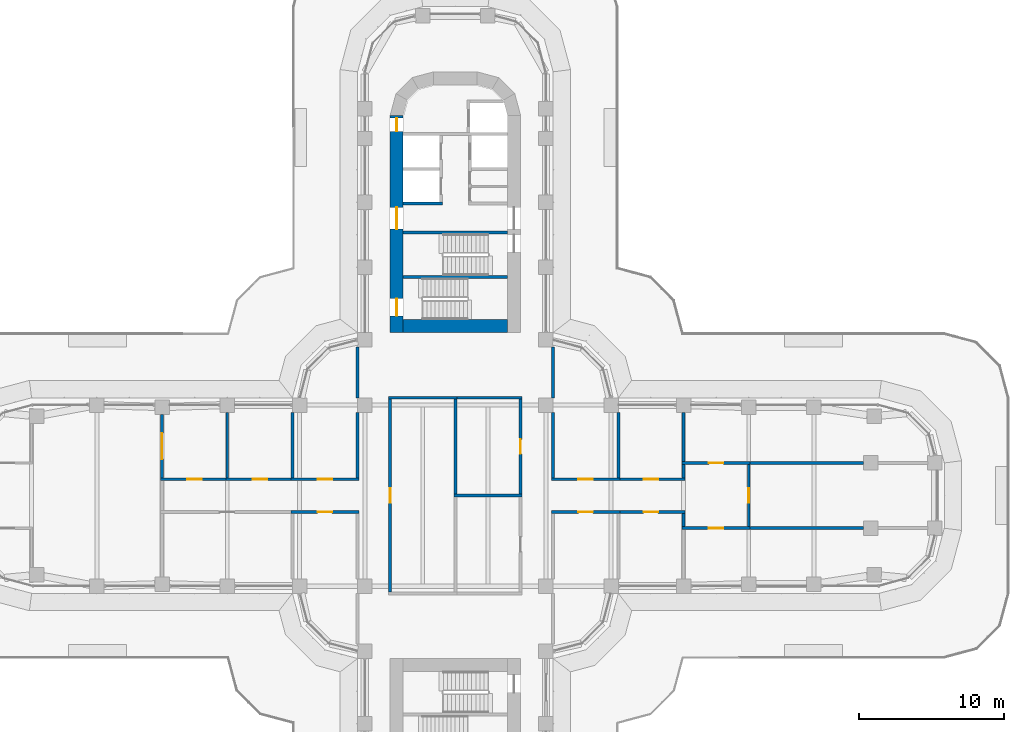
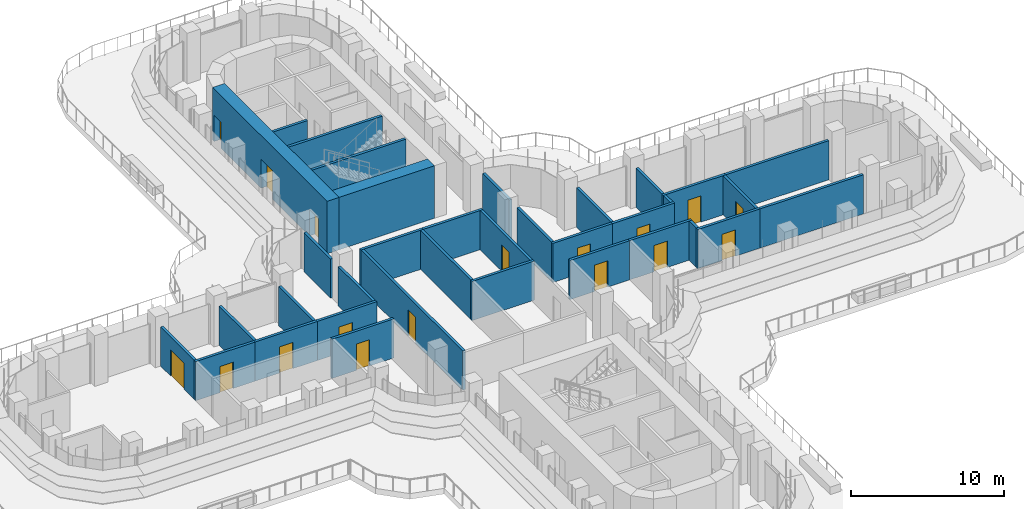
# One storey, part 18 of 26: 35 walls, 17 doors, 17 openings.
"""IFC4 building model written with IfcOpenShell, lengths in metres."""

from ifc_helpers import new_model, si_unit, direction, frame, frame_2d, origin, place, context, subcontext, project, spatial, rectangle, extrude, material, layer, layer_set, type_object, element, fill, save


model = new_model("IFC4")

# Units and contexts
model_context = context("Model", 3, precision=1e-05, world=origin(), true_north=direction((0.0, 1.0)))
body_context = subcontext(model_context, "Body", "Model", "MODEL_VIEW")
ifc_project = project(units=[si_unit("LENGTHUNIT", "METRE"), si_unit("AREAUNIT", "SQUARE_METRE"), si_unit("VOLUMEUNIT", "CUBIC_METRE"), si_unit("PLANEANGLEUNIT", "RADIAN"), si_unit("MASSUNIT", "GRAM", prefix="KILO")], contexts=[model_context])

# Site, building, storey
site_placement = place(None, origin())
site = spatial("IfcSite", under=ifc_project, at=site_placement, CompositionType="ELEMENT")
building_placement = place(site_placement, origin())
building = spatial("IfcBuilding", under=site, at=building_placement, Name="Zarbagh Exchange Tower", CompositionType="ELEMENT")
storey_placement = place(building_placement, frame((0.0, 0.0, 27.0)))
storey = spatial("IfcBuildingStorey", under=building, at=storey_placement, Name="L05", CompositionType="ELEMENT", Elevation=27.0)

# Wall, opening, door
ifc_material_1 = material(Name="Fire-rated plasterboard partition")
ifc_layer_1 = layer(ifc_material_1, 0.199951171875)
ifc_layer_set_1 = layer_set([ifc_layer_1], Name="RATED PARTITION 200")
wall_type_1 = type_object("IfcWallType", Name="RATED PARTITION 200", PredefinedType="PARTITIONING", material=ifc_layer_set_1)
wall_1_placement = place(storey_placement, frame((-4.5, 6.64990234375, 0.0), z_axis=(0.0, 0.0, 1.0), x_axis=(0.0, -1.0, 0.0)))
wall_1 = element("IfcWall", 1, at=wall_1_placement, inside=storey, type_object=wall_type_1, Name="Partition W-101", PredefinedType="PARTITIONING", context=body_context, shape_type="SweptSolid", body=[
    extrude(rectangle(XDim=13.2998046875, YDim=0.199951171875, at=frame_2d((6.64990234375, 0.0))), origin(), (0.0, 0.0, 1.0), 3.130615234375),
])
opening_1_placement = place(wall_1_placement, frame((6.14990234375, 0.0, 0.0)))
opening_1 = element("IfcOpeningElement", 2, at=opening_1_placement, cuts=wall_1, Name="Opening D-103", PredefinedType="OPENING", context=body_context, shape_type="SweptSolid", body=[
    extrude(rectangle(XDim=1.0, YDim=2.10009765625, at=frame_2d((0.5, 1.050048828125))), frame((0.0, 0.10986328125, 0.0), z_axis=(0.0, -1.0, 0.0), x_axis=(1.0, 0.0, 0.0)), (0.0, 0.0, 1.0), 0.219970703125),
])
ifc_material_2 = material(Name="Steel door set", Category="steel")
door_type_1 = type_object("IfcDoorType", Name="FIRE DOOR 1000 X 2100 FD30S", OperationType="NOTDEFINED", PredefinedType="DOOR", material=ifc_material_2)
door_1_placement = place(opening_1_placement, origin())
door_1 = element("IfcDoor", 3, at=door_1_placement, inside=storey, type_object=door_type_1, Name="Door D-103", OperationType="SINGLE_SWING_RIGHT", OverallHeight=2.10009765625, OverallWidth=1.0, PredefinedType="DOOR", context=body_context, shape_type="SweptSolid", body=[
    extrude(rectangle(XDim=1.0, YDim=2.10009765625, at=frame_2d((0.5, 1.050048828125))), frame((0.0, 0.02490234375, 0.0), z_axis=(0.0, -1.0, 0.0), x_axis=(1.0, 0.0, 0.0)), (0.0, 0.0, 1.0), 0.050048828125),
])
fill(opening_1, door_1)

# Walls
wall_2_placement = place(storey_placement, frame((-6.75, 1.22509765625, 0.0), z_axis=(0.0, 0.0, 1.0), x_axis=(0.0, 1.0, 0.0)))
element("IfcWall", 4, at=wall_2_placement, inside=storey, type_object=wall_type_1, Name="Partition W-102", PredefinedType="PARTITIONING", context=body_context, shape_type="SweptSolid", body=[
    extrude(rectangle(XDim=4.52490234375, YDim=0.199951171875, at=frame_2d((2.262451171875, 0.0))), origin(), (0.0, 0.0, 1.0), 3.130615234375),
])
wall_3_placement = place(storey_placement, frame((-6.75, 6.75, 0.0), z_axis=(0.0, 0.0, 1.0), x_axis=(0.0, 1.0, 0.0)))
element("IfcWall", 5, at=wall_3_placement, inside=storey, type_object=wall_type_1, Name="Partition W-103", PredefinedType="PARTITIONING", context=body_context, shape_type="SweptSolid", body=[
    extrude(rectangle(XDim=3.5, YDim=0.199951171875, at=frame_2d((1.75, 0.0))), origin(), (0.0, 0.0, 1.0), 3.130615234375),
])

# Wall, opening, door
wall_4_placement = place(storey_placement, frame((4.5, 0.10009765625, 0.0), z_axis=(0.0, 0.0, 1.0), x_axis=(0.0, 1.0, 0.0)))
wall_4 = element("IfcWall", 6, at=wall_4_placement, inside=storey, type_object=wall_type_1, Name="Partition W-106", PredefinedType="PARTITIONING", context=body_context, shape_type="SweptSolid", body=[
    extrude(rectangle(XDim=6.5498046875, YDim=0.199951171875, at=frame_2d((3.27490234375, 0.0))), origin(), (0.0, 0.0, 1.0), 3.130615234375),
])
opening_2_placement = place(wall_4_placement, frame((2.77490234375, 0.0, 0.0)))
opening_2 = element("IfcOpeningElement", 7, at=opening_2_placement, cuts=wall_4, Name="Opening D-101", PredefinedType="OPENING", context=body_context, shape_type="SweptSolid", body=[
    extrude(rectangle(XDim=1.0, YDim=2.10009765625, at=frame_2d((0.5, 1.050048828125))), frame((0.0, 0.10986328125, 0.0), z_axis=(0.0, -1.0, 0.0), x_axis=(1.0, 0.0, 0.0)), (0.0, 0.0, 1.0), 0.219970703125),
])
door_2_placement = place(opening_2_placement, origin())
door_2 = element("IfcDoor", 8, at=door_2_placement, inside=storey, type_object=door_type_1, Name="Door D-101", OperationType="SINGLE_SWING_LEFT", OverallHeight=2.10009765625, OverallWidth=1.0, PredefinedType="DOOR", context=body_context, shape_type="SweptSolid", body=[
    extrude(rectangle(XDim=1.0, YDim=2.10009765625, at=frame_2d((0.5, 1.050048828125))), frame((0.0, 0.02490234375, 0.0), z_axis=(0.0, -1.0, 0.0), x_axis=(1.0, 0.0, 0.0)), (0.0, 0.0, 1.0), 0.050048828125),
])
fill(opening_2, door_2)

# Walls
wall_5_placement = place(storey_placement, frame((6.75, 1.22509765625, 0.0), z_axis=(0.0, 0.0, 1.0), x_axis=(0.0, 1.0, 0.0)))
element("IfcWall", 9, at=wall_5_placement, inside=storey, type_object=wall_type_1, Name="Partition W-108", PredefinedType="PARTITIONING", context=body_context, shape_type="SweptSolid", body=[
    extrude(rectangle(XDim=4.52490234375, YDim=0.199951171875, at=frame_2d((2.262451171875, 0.0))), origin(), (0.0, 0.0, 1.0), 3.130615234375),
])
wall_6_placement = place(storey_placement, frame((6.75, 6.75, 0.0), z_axis=(0.0, 0.0, 1.0), x_axis=(0.0, 1.0, 0.0)))
element("IfcWall", 10, at=wall_6_placement, inside=storey, type_object=wall_type_1, Name="Partition W-109", PredefinedType="PARTITIONING", context=body_context, shape_type="SweptSolid", body=[
    extrude(rectangle(XDim=3.5, YDim=0.199951171875, at=frame_2d((1.75, 0.0))), origin(), (0.0, 0.0, 1.0), 3.130615234375),
])
for number, where, z_axis, x_axis, name in (
    (11, (-4.60009765625, 6.75, 0.0), (0.0, 0.0, 1.0), (1.0, 0.0, 0.0), "Partition W-112"),
    (12, (-0.10009765625, 6.75, 0.0), (0.0, 0.0, 1.0), (1.0, 0.0, 0.0), "Partition W-113"),
):
    element("IfcWall", number, at=place(storey_placement, frame(where, z_axis=z_axis, x_axis=x_axis)), inside=storey, type_object=wall_type_1, Name=name, PredefinedType="PARTITIONING", context=body_context, shape_type="SweptSolid", body=[
        extrude(rectangle(XDim=4.7001953125, YDim=0.199951171875, at=frame_2d((2.35009765625, 0.0))), origin(), (0.0, 0.0, 1.0), 3.130615234375),
    ])
wall_7_placement = place(storey_placement, frame((0.0, 0.10009765625, 0.0), z_axis=(0.0, 0.0, 1.0), x_axis=(0.0, 1.0, 0.0)))
element("IfcWall", 13, at=wall_7_placement, inside=storey, type_object=wall_type_1, Name="Partition W-116", PredefinedType="PARTITIONING", context=body_context, shape_type="SweptSolid", body=[
    extrude(rectangle(XDim=6.5498046875, YDim=0.199951171875, at=frame_2d((3.27490234375, 0.0))), origin(), (0.0, 0.0, 1.0), 3.130615234375),
])
wall_8_placement = place(storey_placement, frame((-0.10009765625, 0.0, 0.0), z_axis=(0.0, 0.0, 1.0), x_axis=(1.0, 0.0, 0.0)))
element("IfcWall", 14, at=wall_8_placement, inside=storey, type_object=wall_type_1, Name="Partition W-118", PredefinedType="PARTITIONING", context=body_context, shape_type="SweptSolid", body=[
    extrude(rectangle(XDim=4.7001953125, YDim=0.199951171875, at=frame_2d((2.35009765625, 0.0))), origin(), (0.0, 0.0, 1.0), 3.130615234375),
])

# Wall, opening, door
wall_9_placement = place(storey_placement, frame((6.64990234375, 1.125, 0.0), z_axis=(0.0, 0.0, 1.0), x_axis=(1.0, 0.0, 0.0)))
wall_9 = element("IfcWall", 15, at=wall_9_placement, inside=storey, type_object=wall_type_1, Name="Partition W-119", PredefinedType="PARTITIONING", context=body_context, shape_type="SweptSolid", body=[
    extrude(rectangle(XDim=4.7001953125, YDim=0.199951171875, at=frame_2d((2.35009765625, 0.0))), origin(), (0.0, 0.0, 1.0), 3.130615234375),
])
opening_3_placement = place(wall_9_placement, frame((1.85009765625, 0.0, 0.0)))
opening_3 = element("IfcOpeningElement", 16, at=opening_3_placement, cuts=wall_9, Name="Opening D-106", PredefinedType="OPENING", context=body_context, shape_type="SweptSolid", body=[
    extrude(rectangle(XDim=1.0, YDim=2.10009765625, at=frame_2d((0.5, 1.050048828125))), frame((0.0, 0.10986328125, 0.0), z_axis=(0.0, -1.0, 0.0), x_axis=(1.0, 0.0, 0.0)), (0.0, 0.0, 1.0), 0.219970703125),
])
door_3_placement = place(opening_3_placement, origin())
door_3 = element("IfcDoor", 17, at=door_3_placement, inside=storey, type_object=door_type_1, Name="Door D-106", OperationType="SINGLE_SWING_RIGHT", OverallHeight=2.10009765625, OverallWidth=1.0, PredefinedType="DOOR", context=body_context, shape_type="SweptSolid", body=[
    extrude(rectangle(XDim=1.0, YDim=2.10009765625, at=frame_2d((0.5, 1.050048828125))), frame((0.0, 0.02490234375, 0.0), z_axis=(0.0, -1.0, 0.0), x_axis=(1.0, 0.0, 0.0)), (0.0, 0.0, 1.0), 0.050048828125),
])
fill(opening_3, door_3)

wall_10_placement = place(storey_placement, frame((11.35009765625, -1.125, 0.0), z_axis=(0.0, 0.0, 1.0), x_axis=(-1.0, 0.0, 0.0)))
wall_10 = element("IfcWall", 18, at=wall_10_placement, inside=storey, type_object=wall_type_1, Name="Partition W-120", PredefinedType="PARTITIONING", context=body_context, shape_type="SweptSolid", body=[
    extrude(rectangle(XDim=4.7001953125, YDim=0.199951171875, at=frame_2d((2.35009765625, 0.0))), origin(), (0.0, 0.0, 1.0), 3.130615234375),
])
opening_4_placement = place(wall_10_placement, frame((1.85009765625, 0.0, 0.0)))
opening_4 = element("IfcOpeningElement", 19, at=opening_4_placement, cuts=wall_10, Name="Opening D-109", PredefinedType="OPENING", context=body_context, shape_type="SweptSolid", body=[
    extrude(rectangle(XDim=1.0, YDim=2.10009765625, at=frame_2d((0.5, 1.050048828125))), frame((0.0, 0.10986328125, 0.0), z_axis=(0.0, -1.0, 0.0), x_axis=(1.0, 0.0, 0.0)), (0.0, 0.0, 1.0), 0.219970703125),
])
door_4_placement = place(opening_4_placement, origin())
door_4 = element("IfcDoor", 20, at=door_4_placement, inside=storey, type_object=door_type_1, Name="Door D-109", OperationType="SINGLE_SWING_RIGHT", OverallHeight=2.10009765625, OverallWidth=1.0, PredefinedType="DOOR", context=body_context, shape_type="SweptSolid", body=[
    extrude(rectangle(XDim=1.0, YDim=2.10009765625, at=frame_2d((0.5, 1.050048828125))), frame((0.0, 0.02490234375, 0.0), z_axis=(0.0, -1.0, 0.0), x_axis=(1.0, 0.0, 0.0)), (0.0, 0.0, 1.0), 0.050048828125),
])
fill(opening_4, door_4)

wall_11_placement = place(storey_placement, frame((11.14990234375, 1.125, 0.0), z_axis=(0.0, 0.0, 1.0), x_axis=(1.0, 0.0, 0.0)))
wall_11 = element("IfcWall", 21, at=wall_11_placement, inside=storey, type_object=wall_type_1, Name="Partition W-121", PredefinedType="PARTITIONING", context=body_context, shape_type="SweptSolid", body=[
    extrude(rectangle(XDim=4.7001953125, YDim=0.199951171875, at=frame_2d((2.35009765625, 0.0))), origin(), (0.0, 0.0, 1.0), 3.130615234375),
])
opening_5_placement = place(wall_11_placement, frame((1.85009765625, 0.0, 0.0)))
opening_5 = element("IfcOpeningElement", 22, at=opening_5_placement, cuts=wall_11, Name="Opening D-107", PredefinedType="OPENING", context=body_context, shape_type="SweptSolid", body=[
    extrude(rectangle(XDim=1.0, YDim=2.10009765625, at=frame_2d((0.5, 1.050048828125))), frame((0.0, 0.10986328125, 0.0), z_axis=(0.0, -1.0, 0.0), x_axis=(1.0, 0.0, 0.0)), (0.0, 0.0, 1.0), 0.219970703125),
])
door_5_placement = place(opening_5_placement, origin())
door_5 = element("IfcDoor", 23, at=door_5_placement, inside=storey, type_object=door_type_1, Name="Door D-107", OperationType="SINGLE_SWING_RIGHT", OverallHeight=2.10009765625, OverallWidth=1.0, PredefinedType="DOOR", context=body_context, shape_type="SweptSolid", body=[
    extrude(rectangle(XDim=1.0, YDim=2.10009765625, at=frame_2d((0.5, 1.050048828125))), frame((0.0, 0.02490234375, 0.0), z_axis=(0.0, -1.0, 0.0), x_axis=(1.0, 0.0, 0.0)), (0.0, 0.0, 1.0), 0.050048828125),
])
fill(opening_5, door_5)

wall_12_placement = place(storey_placement, frame((15.85009765625, -1.125, 0.0), z_axis=(0.0, 0.0, 1.0), x_axis=(-1.0, 0.0, 0.0)))
wall_12 = element("IfcWall", 24, at=wall_12_placement, inside=storey, type_object=wall_type_1, Name="Partition W-122", PredefinedType="PARTITIONING", context=body_context, shape_type="SweptSolid", body=[
    extrude(rectangle(XDim=4.7001953125, YDim=0.199951171875, at=frame_2d((2.35009765625, 0.0))), origin(), (0.0, 0.0, 1.0), 3.130615234375),
])
opening_6_placement = place(wall_12_placement, frame((1.85009765625, 0.0, 0.0)))
opening_6 = element("IfcOpeningElement", 25, at=opening_6_placement, cuts=wall_12, Name="Opening D-110", PredefinedType="OPENING", context=body_context, shape_type="SweptSolid", body=[
    extrude(rectangle(XDim=1.0, YDim=2.10009765625, at=frame_2d((0.5, 1.050048828125))), frame((0.0, 0.10986328125, 0.0), z_axis=(0.0, -1.0, 0.0), x_axis=(1.0, 0.0, 0.0)), (0.0, 0.0, 1.0), 0.219970703125),
])
door_6_placement = place(opening_6_placement, origin())
door_6 = element("IfcDoor", 26, at=door_6_placement, inside=storey, type_object=door_type_1, Name="Door D-110", OperationType="SINGLE_SWING_RIGHT", OverallHeight=2.10009765625, OverallWidth=1.0, PredefinedType="DOOR", context=body_context, shape_type="SweptSolid", body=[
    extrude(rectangle(XDim=1.0, YDim=2.10009765625, at=frame_2d((0.5, 1.050048828125))), frame((0.0, 0.02490234375, 0.0), z_axis=(0.0, -1.0, 0.0), x_axis=(1.0, 0.0, 0.0)), (0.0, 0.0, 1.0), 0.050048828125),
])
fill(opening_6, door_6)

# Walls
wall_13_placement = place(storey_placement, frame((11.25, 1.22509765625, 0.0), z_axis=(0.0, 0.0, 1.0), x_axis=(0.0, 1.0, 0.0)))
element("IfcWall", 27, at=wall_13_placement, inside=storey, type_object=wall_type_1, Name="Partition W-123", PredefinedType="PARTITIONING", context=body_context, shape_type="SweptSolid", body=[
    extrude(rectangle(XDim=4.52490234375, YDim=0.199951171875, at=frame_2d((2.262451171875, 0.0))), origin(), (0.0, 0.0, 1.0), 3.130615234375),
])
wall_14_placement = place(storey_placement, frame((15.75, 1.22509765625, 0.0), z_axis=(0.0, 0.0, 1.0), x_axis=(0.0, 1.0, 0.0)))
element("IfcWall", 28, at=wall_14_placement, inside=storey, type_object=wall_type_1, Name="Partition W-125", PredefinedType="PARTITIONING", context=body_context, shape_type="SweptSolid", body=[
    extrude(rectangle(XDim=0.9248046875, YDim=0.199951171875, at=frame_2d((0.46240234375, 0.0))), origin(), (0.0, 0.0, 1.0), 3.130615234375),
])
wall_15_placement = place(storey_placement, frame((15.75, 2.35009765625, 0.0), z_axis=(0.0, 0.0, 1.0), x_axis=(0.0, 1.0, 0.0)))
element("IfcWall", 29, at=wall_15_placement, inside=storey, type_object=wall_type_1, Name="Partition W-126", PredefinedType="PARTITIONING", context=body_context, shape_type="SweptSolid", body=[
    extrude(rectangle(XDim=3.39990234375, YDim=0.199951171875, at=frame_2d((1.699951171875, 0.0))), origin(), (0.0, 0.0, 1.0), 3.130615234375),
])
wall_16_placement = place(storey_placement, frame((15.75, -2.14990234375, 0.0), z_axis=(0.0, 0.0, 1.0), x_axis=(0.0, 1.0, 0.0)))
element("IfcWall", 30, at=wall_16_placement, inside=storey, type_object=wall_type_1, Name="Partition W-127", PredefinedType="PARTITIONING", context=body_context, shape_type="SweptSolid", body=[
    extrude(rectangle(XDim=0.9248046875, YDim=0.199951171875, at=frame_2d((0.46240234375, 0.0))), origin(), (0.0, 0.0, 1.0), 3.130615234375),
])

# Wall, opening, door
wall_17_placement = place(storey_placement, frame((15.64990234375, 2.25, 0.0), z_axis=(0.0, 0.0, 1.0), x_axis=(1.0, 0.0, 0.0)))
wall_17 = element("IfcWall", 31, at=wall_17_placement, inside=storey, type_object=wall_type_1, Name="Partition W-129", PredefinedType="PARTITIONING", context=body_context, shape_type="SweptSolid", body=[
    extrude(rectangle(XDim=4.7001953125, YDim=0.199951171875, at=frame_2d((2.35009765625, 0.0))), origin(), (0.0, 0.0, 1.0), 3.130615234375),
])
opening_7_placement = place(wall_17_placement, frame((1.85009765625, 0.0, 0.0)))
opening_7 = element("IfcOpeningElement", 32, at=opening_7_placement, cuts=wall_17, Name="Opening D-105", PredefinedType="OPENING", context=body_context, shape_type="SweptSolid", body=[
    extrude(rectangle(XDim=1.0, YDim=2.10009765625, at=frame_2d((0.5, 1.050048828125))), frame((0.0, 0.10986328125, 0.0), z_axis=(0.0, -1.0, 0.0), x_axis=(1.0, 0.0, 0.0)), (0.0, 0.0, 1.0), 0.219970703125),
])
door_7_placement = place(opening_7_placement, origin())
door_7 = element("IfcDoor", 33, at=door_7_placement, inside=storey, type_object=door_type_1, Name="Door D-105", OperationType="SINGLE_SWING_LEFT", OverallHeight=2.10009765625, OverallWidth=1.0, PredefinedType="DOOR", context=body_context, shape_type="SweptSolid", body=[
    extrude(rectangle(XDim=1.0, YDim=2.10009765625, at=frame_2d((0.5, 1.050048828125))), frame((0.0, 0.02490234375, 0.0), z_axis=(0.0, -1.0, 0.0), x_axis=(1.0, 0.0, 0.0)), (0.0, 0.0, 1.0), 0.050048828125),
])
fill(opening_7, door_7)

wall_18_placement = place(storey_placement, frame((20.35009765625, -2.25, 0.0), z_axis=(0.0, 0.0, 1.0), x_axis=(-1.0, 0.0, 0.0)))
wall_18 = element("IfcWall", 34, at=wall_18_placement, inside=storey, type_object=wall_type_1, Name="Partition W-130", PredefinedType="PARTITIONING", context=body_context, shape_type="SweptSolid", body=[
    extrude(rectangle(XDim=4.7001953125, YDim=0.199951171875, at=frame_2d((2.35009765625, 0.0))), origin(), (0.0, 0.0, 1.0), 3.130615234375),
])
opening_8_placement = place(wall_18_placement, frame((1.85009765625, 0.0, 0.0)))
opening_8 = element("IfcOpeningElement", 35, at=opening_8_placement, cuts=wall_18, Name="Opening D-108", PredefinedType="OPENING", context=body_context, shape_type="SweptSolid", body=[
    extrude(rectangle(XDim=1.0, YDim=2.10009765625, at=frame_2d((0.5, 1.050048828125))), frame((0.0, 0.10986328125, 0.0), z_axis=(0.0, -1.0, 0.0), x_axis=(1.0, 0.0, 0.0)), (0.0, 0.0, 1.0), 0.219970703125),
])
door_8_placement = place(opening_8_placement, origin())
door_8 = element("IfcDoor", 36, at=door_8_placement, inside=storey, type_object=door_type_1, Name="Door D-108", OperationType="SINGLE_SWING_RIGHT", OverallHeight=2.10009765625, OverallWidth=1.0, PredefinedType="DOOR", context=body_context, shape_type="SweptSolid", body=[
    extrude(rectangle(XDim=1.0, YDim=2.10009765625, at=frame_2d((0.5, 1.050048828125))), frame((0.0, 0.02490234375, 0.0), z_axis=(0.0, -1.0, 0.0), x_axis=(1.0, 0.0, 0.0)), (0.0, 0.0, 1.0), 0.050048828125),
])
fill(opening_8, door_8)

wall_19_placement = place(storey_placement, frame((20.25, 2.14990234375, 0.0), z_axis=(0.0, 0.0, 1.0), x_axis=(0.0, -1.0, 0.0)))
wall_19 = element("IfcWall", 37, at=wall_19_placement, inside=storey, type_object=wall_type_1, Name="Partition W-131", PredefinedType="PARTITIONING", context=body_context, shape_type="SweptSolid", body=[
    extrude(rectangle(XDim=4.2998046875, YDim=0.199951171875, at=frame_2d((2.14990234375, 0.0))), origin(), (0.0, 0.0, 1.0), 3.130615234375),
])
opening_9_placement = place(wall_19_placement, frame((1.64990234375, 0.0, 0.0)))
opening_9 = element("IfcOpeningElement", 38, at=opening_9_placement, cuts=wall_19, Name="Opening D-104", PredefinedType="OPENING", context=body_context, shape_type="SweptSolid", body=[
    extrude(rectangle(XDim=1.0, YDim=2.10009765625, at=frame_2d((0.5, 1.050048828125))), frame((0.0, 0.10986328125, 0.0), z_axis=(0.0, -1.0, 0.0), x_axis=(1.0, 0.0, 0.0)), (0.0, 0.0, 1.0), 0.219970703125),
])
door_9_placement = place(opening_9_placement, origin())
door_9 = element("IfcDoor", 39, at=door_9_placement, inside=storey, type_object=door_type_1, Name="Door D-104", OperationType="SINGLE_SWING_RIGHT", OverallHeight=2.10009765625, OverallWidth=1.0, PredefinedType="DOOR", context=body_context, shape_type="SweptSolid", body=[
    extrude(rectangle(XDim=1.0, YDim=2.10009765625, at=frame_2d((0.5, 1.050048828125))), frame((0.0, 0.02490234375, 0.0), z_axis=(0.0, -1.0, 0.0), x_axis=(1.0, 0.0, 0.0)), (0.0, 0.0, 1.0), 0.050048828125),
])
fill(opening_9, door_9)

# Walls
for number, where, z_axis, x_axis, name in (
    (40, (20.14990234375, 2.25, 0.0), (0.0, 0.0, 1.0), (1.0, 0.0, 0.0), "Partition W-132"),
    (41, (20.14990234375, -2.25, 0.0), (0.0, 0.0, 1.0), (1.0, 0.0, 0.0), "Partition W-134"),
):
    element("IfcWall", number, at=place(storey_placement, frame(where, z_axis=z_axis, x_axis=x_axis)), inside=storey, type_object=wall_type_1, Name=name, PredefinedType="PARTITIONING", context=body_context, shape_type="SweptSolid", body=[
        extrude(rectangle(XDim=8.02001953125, YDim=0.199951171875, at=frame_2d((4.010009765625, 0.0))), origin(), (0.0, 0.0, 1.0), 3.130615234375),
    ])

# Wall, opening, door
wall_20_placement = place(storey_placement, frame((-11.35009765625, 1.125, 0.0), z_axis=(0.0, 0.0, 1.0), x_axis=(1.0, 0.0, 0.0)))
wall_20 = element("IfcWall", 42, at=wall_20_placement, inside=storey, type_object=wall_type_1, Name="Partition W-136", PredefinedType="PARTITIONING", context=body_context, shape_type="SweptSolid", body=[
    extrude(rectangle(XDim=4.7001953125, YDim=0.199951171875, at=frame_2d((2.35009765625, 0.0))), origin(), (0.0, 0.0, 1.0), 3.130615234375),
])
opening_10_placement = place(wall_20_placement, frame((1.85009765625, 0.0, 0.0)))
opening_10 = element("IfcOpeningElement", 43, at=opening_10_placement, cuts=wall_20, Name="Opening D-114", PredefinedType="OPENING", context=body_context, shape_type="SweptSolid", body=[
    extrude(rectangle(XDim=1.0, YDim=2.10009765625, at=frame_2d((0.5, 1.050048828125))), frame((0.0, 0.10986328125, 0.0), z_axis=(0.0, -1.0, 0.0), x_axis=(1.0, 0.0, 0.0)), (0.0, 0.0, 1.0), 0.219970703125),
])
door_10_placement = place(opening_10_placement, origin())
door_10 = element("IfcDoor", 44, at=door_10_placement, inside=storey, type_object=door_type_1, Name="Door D-114", OperationType="SINGLE_SWING_RIGHT", OverallHeight=2.10009765625, OverallWidth=1.0, PredefinedType="DOOR", context=body_context, shape_type="SweptSolid", body=[
    extrude(rectangle(XDim=1.0, YDim=2.10009765625, at=frame_2d((0.5, 1.050048828125))), frame((0.0, 0.02490234375, 0.0), z_axis=(0.0, -1.0, 0.0), x_axis=(1.0, 0.0, 0.0)), (0.0, 0.0, 1.0), 0.050048828125),
])
fill(opening_10, door_10)

wall_21_placement = place(storey_placement, frame((-6.64990234375, -1.125, 0.0), z_axis=(0.0, 0.0, 1.0), x_axis=(-1.0, 0.0, 0.0)))
wall_21 = element("IfcWall", 45, at=wall_21_placement, inside=storey, type_object=wall_type_1, Name="Partition W-137", PredefinedType="PARTITIONING", context=body_context, shape_type="SweptSolid", body=[
    extrude(rectangle(XDim=4.7001953125, YDim=0.199951171875, at=frame_2d((2.35009765625, 0.0))), origin(), (0.0, 0.0, 1.0), 3.130615234375),
])
opening_11_placement = place(wall_21_placement, frame((1.85009765625, 0.0, 0.0)))
opening_11 = element("IfcOpeningElement", 46, at=opening_11_placement, cuts=wall_21, Name="Opening D-117", PredefinedType="OPENING", context=body_context, shape_type="SweptSolid", body=[
    extrude(rectangle(XDim=1.0, YDim=2.10009765625, at=frame_2d((0.5, 1.050048828125))), frame((0.0, 0.10986328125, 0.0), z_axis=(0.0, -1.0, 0.0), x_axis=(1.0, 0.0, 0.0)), (0.0, 0.0, 1.0), 0.219970703125),
])
door_11_placement = place(opening_11_placement, origin())
door_11 = element("IfcDoor", 47, at=door_11_placement, inside=storey, type_object=door_type_1, Name="Door D-117", OperationType="SINGLE_SWING_RIGHT", OverallHeight=2.10009765625, OverallWidth=1.0, PredefinedType="DOOR", context=body_context, shape_type="SweptSolid", body=[
    extrude(rectangle(XDim=1.0, YDim=2.10009765625, at=frame_2d((0.5, 1.050048828125))), frame((0.0, 0.02490234375, 0.0), z_axis=(0.0, -1.0, 0.0), x_axis=(1.0, 0.0, 0.0)), (0.0, 0.0, 1.0), 0.050048828125),
])
fill(opening_11, door_11)

wall_22_placement = place(storey_placement, frame((-15.85009765625, 1.125, 0.0), z_axis=(0.0, 0.0, 1.0), x_axis=(1.0, 0.0, 0.0)))
wall_22 = element("IfcWall", 48, at=wall_22_placement, inside=storey, type_object=wall_type_1, Name="Partition W-138", PredefinedType="PARTITIONING", context=body_context, shape_type="SweptSolid", body=[
    extrude(rectangle(XDim=4.7001953125, YDim=0.199951171875, at=frame_2d((2.35009765625, 0.0))), origin(), (0.0, 0.0, 1.0), 3.130615234375),
])
opening_12_placement = place(wall_22_placement, frame((1.85009765625, 0.0, 0.0)))
opening_12 = element("IfcOpeningElement", 49, at=opening_12_placement, cuts=wall_22, Name="Opening D-115", PredefinedType="OPENING", context=body_context, shape_type="SweptSolid", body=[
    extrude(rectangle(XDim=1.0, YDim=2.10009765625, at=frame_2d((0.5, 1.050048828125))), frame((0.0, 0.10986328125, 0.0), z_axis=(0.0, -1.0, 0.0), x_axis=(1.0, 0.0, 0.0)), (0.0, 0.0, 1.0), 0.219970703125),
])
door_12_placement = place(opening_12_placement, origin())
door_12 = element("IfcDoor", 50, at=door_12_placement, inside=storey, type_object=door_type_1, Name="Door D-115", OperationType="SINGLE_SWING_RIGHT", OverallHeight=2.10009765625, OverallWidth=1.0, PredefinedType="DOOR", context=body_context, shape_type="SweptSolid", body=[
    extrude(rectangle(XDim=1.0, YDim=2.10009765625, at=frame_2d((0.5, 1.050048828125))), frame((0.0, 0.02490234375, 0.0), z_axis=(0.0, -1.0, 0.0), x_axis=(1.0, 0.0, 0.0)), (0.0, 0.0, 1.0), 0.050048828125),
])
fill(opening_12, door_12)

wall_23_placement = place(storey_placement, frame((-20.35009765625, 1.125, 0.0), z_axis=(0.0, 0.0, 1.0), x_axis=(1.0, 0.0, 0.0)))
wall_23 = element("IfcWall", 51, at=wall_23_placement, inside=storey, type_object=wall_type_1, Name="Partition W-139", PredefinedType="PARTITIONING", context=body_context, shape_type="SweptSolid", body=[
    extrude(rectangle(XDim=4.7001953125, YDim=0.199951171875, at=frame_2d((2.35009765625, 0.0))), origin(), (0.0, 0.0, 1.0), 3.130615234375),
])
opening_13_placement = place(wall_23_placement, frame((1.85009765625, 0.0, 0.0)))
opening_13 = element("IfcOpeningElement", 52, at=opening_13_placement, cuts=wall_23, Name="Opening D-116", PredefinedType="OPENING", context=body_context, shape_type="SweptSolid", body=[
    extrude(rectangle(XDim=1.0, YDim=2.10009765625, at=frame_2d((0.5, 1.050048828125))), frame((0.0, 0.10986328125, 0.0), z_axis=(0.0, -1.0, 0.0), x_axis=(1.0, 0.0, 0.0)), (0.0, 0.0, 1.0), 0.219970703125),
])
door_13_placement = place(opening_13_placement, origin())
door_13 = element("IfcDoor", 53, at=door_13_placement, inside=storey, type_object=door_type_1, Name="Door D-116", OperationType="SINGLE_SWING_RIGHT", OverallHeight=2.10009765625, OverallWidth=1.0, PredefinedType="DOOR", context=body_context, shape_type="SweptSolid", body=[
    extrude(rectangle(XDim=1.0, YDim=2.10009765625, at=frame_2d((0.5, 1.050048828125))), frame((0.0, 0.02490234375, 0.0), z_axis=(0.0, -1.0, 0.0), x_axis=(1.0, 0.0, 0.0)), (0.0, 0.0, 1.0), 0.050048828125),
])
fill(opening_13, door_13)

# Walls
for number, where, z_axis, x_axis, name in (
    (54, (-11.25, 1.22509765625, 0.0), (0.0, 0.0, 1.0), (0.0, 1.0, 0.0), "Partition W-142"),
    (55, (-15.75, 1.22509765625, 0.0), (0.0, 0.0, 1.0), (0.0, 1.0, 0.0), "Partition W-144"),
):
    element("IfcWall", number, at=place(storey_placement, frame(where, z_axis=z_axis, x_axis=x_axis)), inside=storey, type_object=wall_type_1, Name=name, PredefinedType="PARTITIONING", context=body_context, shape_type="SweptSolid", body=[
        extrude(rectangle(XDim=4.52490234375, YDim=0.199951171875, at=frame_2d((2.262451171875, 0.0))), origin(), (0.0, 0.0, 1.0), 3.130615234375),
    ])

# Wall, opening, door
wall_24_placement = place(storey_placement, frame((-20.25, 1.22509765625, 0.0), z_axis=(0.0, 0.0, 1.0), x_axis=(0.0, 1.0, 0.0)))
wall_24 = element("IfcWall", 56, at=wall_24_placement, inside=storey, type_object=wall_type_1, Name="Partition W-145", PredefinedType="PARTITIONING", context=body_context, shape_type="SweptSolid", body=[
    extrude(rectangle(XDim=4.385009765625, YDim=0.199951171875, at=frame_2d((2.1923828125, 0.0))), origin(), (0.0, 0.0, 1.0), 3.130615234375),
])
opening_14_placement = place(wall_24_placement, frame((1.29248046875, 0.0, 0.0)))
opening_14 = element("IfcOpeningElement", 57, at=opening_14_placement, cuts=wall_24, Name="Opening D-113", PredefinedType="OPENING", context=body_context, shape_type="SweptSolid", body=[
    extrude(rectangle(XDim=1.800048828125, YDim=2.10009765625, at=frame_2d((0.89990234375, 1.050048828125))), frame((0.0, 0.10986328125, 0.0), z_axis=(0.0, -1.0, 0.0), x_axis=(1.0, 0.0, 0.0)), (0.0, 0.0, 1.0), 0.219970703125),
])
door_type_2 = type_object("IfcDoorType", Name="FIRE DOUBLE DOOR 1800 X 2100 FD30S", OperationType="DOUBLE_DOOR_SINGLE_SWING", PredefinedType="DOOR", material=ifc_material_2)
door_14_placement = place(opening_14_placement, origin())
door_14 = element("IfcDoor", 58, at=door_14_placement, inside=storey, type_object=door_type_2, Name="Door D-113", OperationType="DOUBLE_DOOR_SINGLE_SWING", OverallHeight=2.10009765625, OverallWidth=1.800048828125, PredefinedType="DOOR", context=body_context, shape_type="SweptSolid", body=[
    extrude(rectangle(XDim=1.800048828125, YDim=2.10009765625, at=frame_2d((0.89990234375, 1.050048828125))), frame((0.0, 0.02490234375, 0.0), z_axis=(0.0, -1.0, 0.0), x_axis=(1.0, 0.0, 0.0)), (0.0, 0.0, 1.0), 0.050048828125),
])
fill(opening_14, door_14)

# Wall, openings, doors
ifc_material_3 = material(Name="Concrete C60/75", Category="concrete")
ifc_layer_2 = layer(ifc_material_3, 0.89990234375)
ifc_layer_set_2 = layer_set([ifc_layer_2], Name="RC core wall 900 C60/75")
wall_type_2 = type_object("IfcWallType", Name="RC core wall 900 C60/75", PredefinedType="SHEAR", material=ifc_layer_set_2)
wall_25_placement = place(storey_placement, frame((-4.050048828125, 11.25, 0.0), z_axis=(0.0, 0.0, 1.0), x_axis=(0.0, 1.0, 0.0)))
wall_25 = element("IfcWall", 59, at=wall_25_placement, inside=storey, type_object=wall_type_2, Name="CW1 core N W", PredefinedType="SHEAR", context=body_context, shape_type="SweptSolid", body=[
    extrude(rectangle(XDim=15.0, YDim=0.89990234375, at=frame_2d((7.5, 0.0))), origin(), (0.0, 0.0, 1.0), 4.199951171875),
])
opening_15_placement = place(wall_25_placement, frame((7.14990234375, 0.0, 0.0)))
opening_15 = element("IfcOpeningElement", 60, at=opening_15_placement, cuts=wall_25, Name="Opening CD1-1500", PredefinedType="OPENING", context=body_context, shape_type="SweptSolid", body=[
    extrude(rectangle(XDim=1.5, YDim=2.300048828125, at=frame_2d((0.75, 1.14990234375))), frame((0.0, 0.4599609375, 0.0), z_axis=(0.0, -1.0, 0.0), x_axis=(1.0, 0.0, 0.0)), (0.0, 0.0, 1.0), 0.919921875),
])
opening_16_placement = place(wall_25_placement, frame((13.89990234375, 0.0, 0.0)))
opening_16 = element("IfcOpeningElement", 61, at=opening_16_placement, cuts=wall_25, Name="Opening CD2-900", PredefinedType="OPENING", context=body_context, shape_type="SweptSolid", body=[
    extrude(rectangle(XDim=0.89990234375, YDim=2.10009765625, at=frame_2d((0.449951171875, 1.050048828125))), frame((0.0, 0.4599609375, 0.0), z_axis=(0.0, -1.0, 0.0), x_axis=(1.0, 0.0, 0.0)), (0.0, 0.0, 1.0), 0.919921875),
])
opening_17_placement = place(wall_25_placement, frame((1.14990234375, 0.0, 0.0)))
opening_17 = element("IfcOpeningElement", 62, at=opening_17_placement, cuts=wall_25, Name="Opening SD1-1200", PredefinedType="OPENING", context=body_context, shape_type="SweptSolid", body=[
    extrude(rectangle(XDim=1.199951171875, YDim=2.10009765625, at=frame_2d((0.60009765625, 1.050048828125))), frame((0.0, 0.4599609375, 0.0), z_axis=(0.0, -1.0, 0.0), x_axis=(1.0, 0.0, 0.0)), (0.0, 0.0, 1.0), 0.919921875),
])
ifc_material_4 = material(Name="Steel", Category="steel")
door_type_3 = type_object("IfcDoorType", Name="Exit stair door 1200 x 2100", OperationType="NOTDEFINED", PredefinedType="DOOR", material=ifc_material_4)
door_15_placement = place(opening_17_placement, origin())
door_15 = element("IfcDoor", 63, at=door_15_placement, inside=storey, type_object=door_type_3, Name="North core stair door ST2", OperationType="SINGLE_SWING_LEFT", OverallHeight=2.10009765625, OverallWidth=1.199951171875, PredefinedType="DOOR", context=body_context, shape_type="SweptSolid", body=[
    extrude(rectangle(XDim=1.199951171875, YDim=2.10009765625, at=frame_2d((0.60009765625, 1.050048828125))), frame((0.0, 0.02490234375, 0.0), z_axis=(0.0, -1.0, 0.0), x_axis=(1.0, 0.0, 0.0)), (0.0, 0.0, 1.0), 0.050048828125),
])
fill(opening_17, door_15)
door_type_4 = type_object("IfcDoorType", Name="Firefighting lobby door 900 x 2100", OperationType="NOTDEFINED", PredefinedType="DOOR", material=ifc_material_4)
door_16_placement = place(opening_16_placement, origin())
door_16 = element("IfcDoor", 64, at=door_16_placement, inside=storey, type_object=door_type_4, Name="North core firefighting lobby door FF-W", OperationType="SINGLE_SWING_LEFT", OverallHeight=2.10009765625, OverallWidth=0.89990234375, PredefinedType="DOOR", context=body_context, shape_type="SweptSolid", body=[
    extrude(rectangle(XDim=0.89990234375, YDim=2.10009765625, at=frame_2d((0.449951171875, 1.050048828125))), frame((0.0, 0.02490234375, 0.0), z_axis=(0.0, -1.0, 0.0), x_axis=(1.0, 0.0, 0.0)), (0.0, 0.0, 1.0), 0.050048828125),
])
fill(opening_16, door_16)
door_type_5 = type_object("IfcDoorType", Name="Lift lobby double door 1500 x 2300", OperationType="NOTDEFINED", PredefinedType="DOOR", material=ifc_material_4)
door_17_placement = place(opening_15_placement, origin())
door_17 = element("IfcDoor", 65, at=door_17_placement, inside=storey, type_object=door_type_5, Name="North core lift lobby door LOBBY-W", OperationType="DOUBLE_DOOR_SINGLE_SWING", OverallHeight=2.300048828125, OverallWidth=1.5, PredefinedType="DOOR", context=body_context, shape_type="SweptSolid", body=[
    extrude(rectangle(XDim=1.5, YDim=2.300048828125, at=frame_2d((0.75, 1.14990234375))), frame((0.0, 0.02490234375, 0.0), z_axis=(0.0, -1.0, 0.0), x_axis=(1.0, 0.0, 0.0)), (0.0, 0.0, 1.0), 0.050048828125),
])
fill(opening_15, door_17)

# Walls
wall_26_placement = place(storey_placement, frame((-3.60009765625, 11.699951171875, 0.0), z_axis=(0.0, 0.0, 1.0), x_axis=(1.0, 0.0, 0.0)))
element("IfcWall", 66, at=wall_26_placement, inside=storey, type_object=wall_type_2, Name="CW1 core N inner end", PredefinedType="SHEAR", context=body_context, shape_type="SweptSolid", body=[
    extrude(rectangle(XDim=7.2001953125, YDim=0.89990234375, at=frame_2d((3.60009765625, 0.0))), origin(), (0.0, 0.0, 1.0), 4.199951171875),
])
ifc_material_5 = material(Name="Dense blockwork", Category="masonry")
ifc_layer_3 = layer(ifc_material_5, 0.199951171875)
ifc_layer_set_3 = layer_set([ifc_layer_3], Name="Shaft wall 200 mm blockwork")
wall_type_3 = type_object("IfcWallType", Name="Shaft wall 200 mm blockwork", PredefinedType="PARTITIONING", material=ifc_layer_set_3)
wall_27_placement = place(storey_placement, frame((-3.60009765625, 20.14990234375, 0.0), z_axis=(0.0, 0.0, 1.0), x_axis=(1.0, 0.0, 0.0)))
element("IfcWall", 67, at=wall_27_placement, inside=storey, type_object=wall_type_3, Name="North core shaft wall AB-W", PredefinedType="PARTITIONING", context=body_context, shape_type="SweptSolid", body=[
    extrude(rectangle(XDim=2.7001953125, YDim=0.199951171875, at=frame_2d((1.35009765625, 0.0))), origin(), (0.0, 0.0, 1.0), 4.050048828125),
])
ifc_material_6 = material(Name="Concrete C40/50", Category="concrete")
ifc_layer_4 = layer(ifc_material_6, 0.199951171875)
ifc_layer_set_4 = layer_set([ifc_layer_4], Name="Stair enclosure wall 200 mm RC C40/50")
wall_type_4 = type_object("IfcWallType", Name="Stair enclosure wall 200 mm RC C40/50", PredefinedType="SHEAR", material=ifc_layer_set_4)
for number, where, z_axis, x_axis, name in (
    (68, (-3.60009765625, 18.14990234375, 0.0), (0.0, 0.0, 1.0), (1.0, 0.0, 0.0), "North core stair wall BS"),
    (69, (-3.60009765625, 15.10009765625, 0.0), (0.0, 0.0, 1.0), (1.0, 0.0, 0.0), "North core stair wall ST12"),
):
    element("IfcWall", number, at=place(storey_placement, frame(where, z_axis=z_axis, x_axis=x_axis)), inside=storey, type_object=wall_type_4, Name=name, PredefinedType="SHEAR", context=body_context, shape_type="SweptSolid", body=[
        extrude(rectangle(XDim=7.2001953125, YDim=0.199951171875, at=frame_2d((3.60009765625, 0.0))), origin(), (0.0, 0.0, 1.0), 4.050048828125),
    ])

save(model, "model.ifc")
